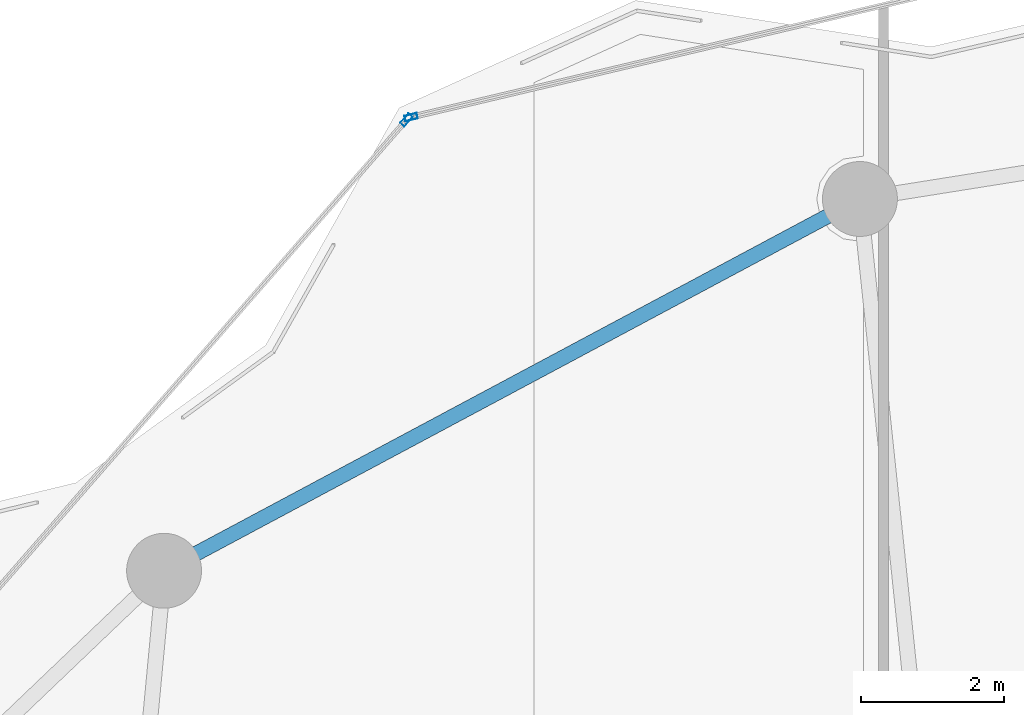
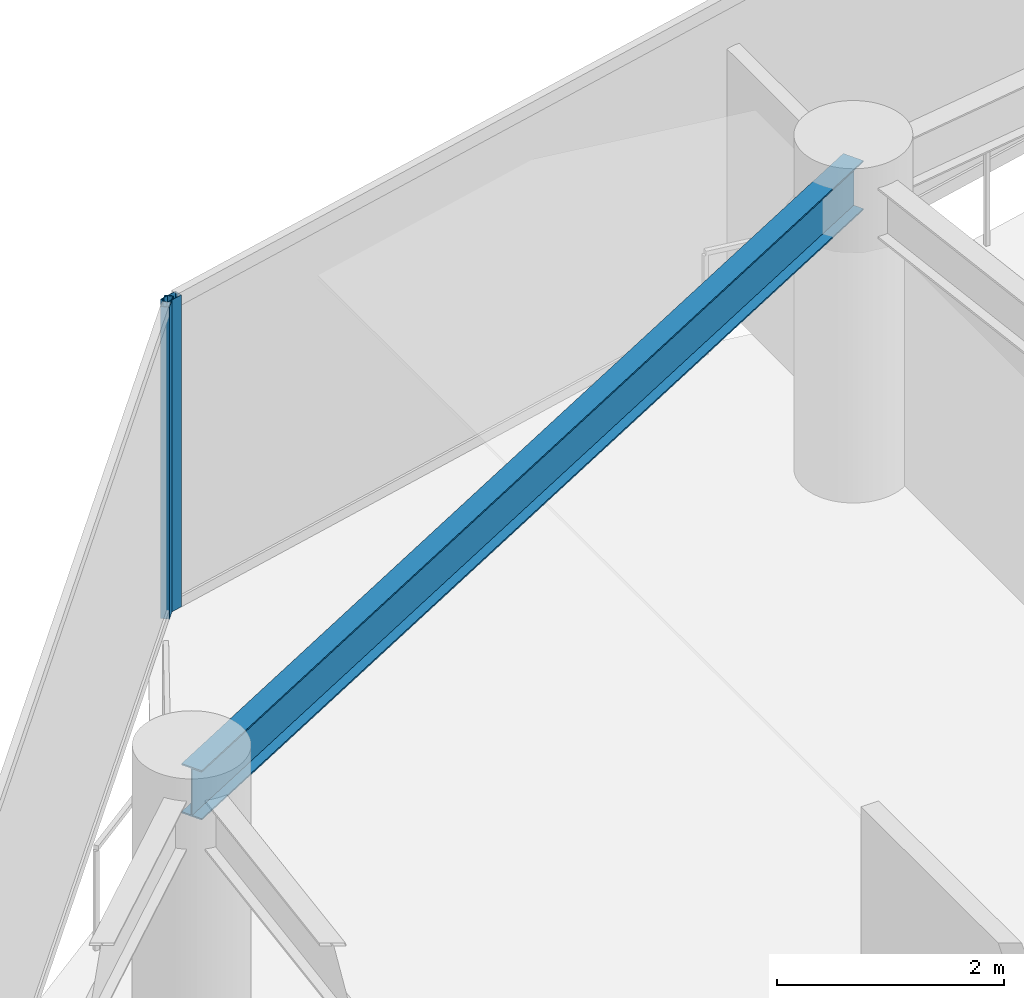
# One storey, part 17 of 28: 2 members, 1 beam, 2 elements without a shape of their own.
"""IFC4 building model written with IfcOpenShell, lengths in metres."""

import ifcopenshell
import ifcopenshell.guid

model = None  # the IFC model being written
_history = None  # IfcOwnerHistory: only IFC2X3 demands one
_inside = {}  # id of a spatial element -> (the spatial element, [elements in it])
_under = {}  # id of a project, library or spatial element -> (it, [spatial elements below it])
_declared = {}  # id of a project -> (the project, [libraries it declares])
_typed = {}  # id of a type object -> (the type object, [elements of that type])
_made_of = {}  # id of a material, layer set ... -> (it, [elements and type objects made of it])


def new_model(schema):
    """Start an empty IFC model of exactly this schema.

    Asked for "IFC4X3", IfcOpenShell would pick the latest addendum, in which some entities
    have other attributes; the version numbers below select the first issue.
    IFC2X3 requires an IfcOwnerHistory on every rooted entity: one is made here for all.
    """
    global model, _history
    if schema == "IFC4X3":
        model = ifcopenshell.file(schema_version=(4, 3, 0, 0))
    else:
        model = ifcopenshell.file(schema=schema)
    _inside.clear()
    _under.clear()
    _declared.clear()
    _typed.clear()
    _made_of.clear()
    _history = None
    if model.schema == "IFC2X3":
        org = make("IfcOrganization", Name="unknown")
        user = make(
            "IfcPersonAndOrganization",
            ThePerson=make("IfcPerson", FamilyName="unknown"),
            TheOrganization=org,
        )
        app = make(
            "IfcApplication",
            ApplicationDeveloper=org,
            Version="unknown",
            ApplicationFullName="unknown",
            ApplicationIdentifier="unknown",
        )
        _history = make(
            "IfcOwnerHistory",
            OwningUser=user,
            OwningApplication=app,
            ChangeAction="ADDED",
            CreationDate=0,
        )
    return model


def make(cls, **values):
    """One entity of the class cls with the attributes given. An attribute that is None is left unset."""
    return model.create_entity(
        cls, **{name: value for name, value in values.items() if value is not None}
    )


def rooted(cls, **values):
    """An entity with a GlobalId (a new one), such as an element, a storey or a relation."""
    return make(cls, GlobalId=ifcopenshell.guid.new(), OwnerHistory=_history, **values)


def si_unit(unit_type, name, prefix=None):
    """IfcSIUnit, for example si_unit("LENGTHUNIT", "METRE", prefix="MILLI")."""
    return make("IfcSIUnit", UnitType=unit_type, Prefix=prefix, Name=name)


def assignment(units):
    """IfcUnitAssignment: the units of a project."""
    return None if units is None else make("IfcUnitAssignment", Units=units)


def point(xyz):
    """IfcCartesianPoint."""
    return None if xyz is None else make("IfcCartesianPoint", Coordinates=xyz)


def direction(xyz):
    """IfcDirection."""
    return None if xyz is None else make("IfcDirection", DirectionRatios=xyz)


def frame(location, z_axis=None, x_axis=None):
    """IfcAxis2Placement3D, a coordinate frame: its origin and axes. An axis left out is left unset."""
    return make(
        "IfcAxis2Placement3D",
        Location=point(location),
        Axis=direction(z_axis),
        RefDirection=direction(x_axis),
    )


def frame_2d(location, x_axis=None):
    """IfcAxis2Placement2D, a coordinate frame in the plane: its origin and x axis."""
    return make(
        "IfcAxis2Placement2D", Location=point(location), RefDirection=direction(x_axis)
    )


def origin():
    """The frame at (0, 0, 0) with its axes left unset."""
    return frame((0.0, 0.0, 0.0))


def origin_2d():
    """The frame at (0, 0) in the plane with its x axis left unset."""
    return frame_2d((0.0, 0.0))


def place(relative_to, where):
    """IfcLocalPlacement: puts the frame where relative to a parent placement (None: the world)."""
    return make(
        "IfcLocalPlacement", PlacementRelTo=relative_to, RelativePlacement=where
    )


def context(
    kind, dimensions, precision=None, world=None, true_north=None, identifier=None
):
    """IfcGeometricRepresentationContext, for example the 3D "Model" context."""
    return make(
        "IfcGeometricRepresentationContext",
        ContextIdentifier=identifier,
        ContextType=kind,
        CoordinateSpaceDimension=dimensions,
        Precision=precision,
        WorldCoordinateSystem=world,
        TrueNorth=true_north,
    )


def subcontext(parent, identifier, kind, view, scale=None):
    """IfcGeometricRepresentationSubContext, for example "Body" below "Model"."""
    return make(
        "IfcGeometricRepresentationSubContext",
        ContextIdentifier=identifier,
        ContextType=kind,
        ParentContext=parent,
        TargetScale=scale,
        TargetView=view,
    )


def project(units=None, contexts=None):
    """IfcProject with its units and contexts."""
    return rooted(
        "IfcProject",
        Name="project",
        RepresentationContexts=contexts,
        UnitsInContext=assignment(units),
    )


def spatial(cls, under=None, at=None, **own):
    """A site, building, storey or space (cls), placed at a placement, below another one or the project."""
    s = rooted(cls, ObjectPlacement=at, **own)
    if under is not None:
        _under.setdefault(under.id(), (under, []))[1].append(s)
    return s


def profile(cls, at=None, kind="AREA", **sizes):
    """A parametric profile (cls). Its sizes go by their IFC names, for example OverallWidth=200.0."""
    return make(cls, ProfileType=kind, Position=at, **sizes)


def hollow_rectangle(**sizes):
    """IfcRectangleHollowProfileDef."""
    return profile("IfcRectangleHollowProfileDef", **sizes)


def i_section(**sizes):
    """IfcIShapeProfileDef."""
    return profile("IfcIShapeProfileDef", **sizes)


def extrude(swept, where, along, depth):
    """IfcExtrudedAreaSolid: the profile swept, set in the frame where, extruded along a direction by depth."""
    return make(
        "IfcExtrudedAreaSolid",
        SweptArea=swept,
        Position=where,
        ExtrudedDirection=direction(along),
        Depth=depth,
    )


def shape(context_of_items, identifier, shape_type, items):
    """IfcShapeRepresentation: the items that make up one representation, for example the "Body"."""
    return make(
        "IfcShapeRepresentation",
        ContextOfItems=context_of_items,
        RepresentationIdentifier=identifier,
        RepresentationType=shape_type,
        Items=items,
    )


def material(Name=None, Category=None):
    """IfcMaterial."""
    return make("IfcMaterial", Name=Name, Category=Category)


def layer(
    of_material, thickness, ventilated=None, Name=None, Category=None, Priority=None
):
    """IfcMaterialLayer: one layer of a wall or slab, of a material (None: an air gap)."""
    return make(
        "IfcMaterialLayer",
        Material=of_material,
        LayerThickness=thickness,
        IsVentilated=ventilated,
        Name=Name,
        Category=Category,
        Priority=Priority,
    )


def layer_set(layers, Name=None):
    """IfcMaterialLayerSet."""
    return make("IfcMaterialLayerSet", MaterialLayers=layers, LayerSetName=Name)


def material_profile(
    of_material, cross_section, Name=None, Category=None, Priority=None
):
    """IfcMaterialProfile: a cross section and its material."""
    return make(
        "IfcMaterialProfile",
        Name=Name,
        Material=of_material,
        Profile=cross_section,
        Priority=Priority,
        Category=Category,
    )


def profile_set(profiles, Name=None, composite=None):
    """IfcMaterialProfileSet."""
    return make(
        "IfcMaterialProfileSet",
        Name=Name,
        MaterialProfiles=profiles,
        CompositeProfile=composite,
    )


def made_of(thing, what):
    """Note that an element or type object is made of a material, layer set ...; save() writes the relation."""
    if what is not None:
        _made_of.setdefault(what.id(), (what, []))[1].append(thing)
    return thing


def type_object(cls, material=None, **own):
    """A type object (cls), such as IfcWallType, which elements share."""
    return made_of(rooted(cls, **own), material)


def element(
    cls,
    number,
    at=None,
    inside=None,
    cuts=None,
    type_object=None,
    material=None,
    context=None,
    identifier="Body",
    shape_type=None,
    held_by="IfcProductDefinitionShape",
    body=None,
    shapes=None,
    **own,
):
    """One element of the class cls, such as IfcWall. Its Tag is "e" and its number.

    at: its placement. inside: the storey or other place that contains it. cuts: it is an
    opening in that element (IfcRelVoidsElement). A single representation is given by context,
    identifier, shape_type and body (its items); several are given by shapes. held_by: the class
    of the entity that holds the representations. save() writes the other relations.
    """
    e = rooted(cls, Tag="e%d" % number, ObjectPlacement=at, **own)
    if body is not None:
        shapes = [shape(context, identifier, shape_type, body)]
    if shapes is not None:
        e.Representation = make(held_by, Representations=shapes)
    if inside is not None:
        _inside.setdefault(inside.id(), (inside, []))[1].append(e)
    if cuts is not None:
        rooted(
            "IfcRelVoidsElement", RelatingBuildingElement=cuts, RelatedOpeningElement=e
        )
    if type_object is not None:
        _typed.setdefault(type_object.id(), (type_object, []))[1].append(e)
    return made_of(e, material)


def aggregate(whole, parts):
    """IfcRelAggregates: a whole, such as a stair, and the parts it consists of."""
    return rooted("IfcRelAggregates", RelatingObject=whole, RelatedObjects=parts)


def save(model, path):
    """Write the relations noted so far, then the file.

    IfcRelAggregates (storeys below a building ...), IfcRelContainedInSpatialStructure (elements
    in a storey), IfcRelDefinesByType, IfcRelAssociatesMaterial and IfcRelDeclares: one each for
    every whole, place, type object, material and project.
    """
    for whole, parts in _under.values():
        aggregate(whole, parts)
    for where, things in _inside.values():
        rooted(
            "IfcRelContainedInSpatialStructure",
            RelatedElements=things,
            RelatingStructure=where,
        )
    for kind, things in _typed.values():
        rooted("IfcRelDefinesByType", RelatedObjects=things, RelatingType=kind)
    for what, things in _made_of.values():
        rooted("IfcRelAssociatesMaterial", RelatedObjects=things, RelatingMaterial=what)
    for by, libraries in _declared.values():
        rooted("IfcRelDeclares", RelatingContext=by, RelatedDefinitions=libraries)
    model.write(path)


model = new_model("IFC4")

# Units and contexts
model_context = context("Model", 3, precision=1e-05, world=origin(), true_north=direction((0.0, 1.0)))
body_context = subcontext(model_context, "Body", "Model", "MODEL_VIEW")
ifc_project = project(units=[si_unit("LENGTHUNIT", "METRE"), si_unit("AREAUNIT", "SQUARE_METRE"), si_unit("VOLUMEUNIT", "CUBIC_METRE"), si_unit("PLANEANGLEUNIT", "RADIAN"), si_unit("MASSUNIT", "GRAM", prefix="KILO")], contexts=[model_context])

# Site, building, storey
site_placement = place(None, origin())
site = spatial("IfcSite", under=ifc_project, at=site_placement, CompositionType="ELEMENT")
building_placement = place(site_placement, origin())
building = spatial("IfcBuilding", under=site, at=building_placement, Name="Kazevale Care Tower and Concert Hall", CompositionType="ELEMENT")
storey_placement = place(building_placement, frame((0.0, 0.0, 228.0)))
storey = spatial("IfcBuildingStorey", under=building, at=storey_placement, Name="L60", CompositionType="ELEMENT", Elevation=228.0)

# Curtain wall, member
ifc_material_1 = material(Name="Aluminium 6063-T6 and Low-E Glass", Category="aluminium")
ifc_layer_1 = layer(ifc_material_1, 0.179931640625)
ifc_layer_set_1 = layer_set([ifc_layer_1], Name="Aluminium 6063-T6 and Low-E Glass")
curtain_wall_type_1 = type_object("IfcCurtainWallType", Name="Convex Checkerboard Finned Curtain Wall CW-2", PredefinedType="NOTDEFINED", material=ifc_layer_set_1)
curtain_wall_1_placement = place(storey_placement, origin())
curtain_wall_1 = element("IfcCurtainWall", 1, at=curtain_wall_1_placement, inside=storey, type_object=curtain_wall_type_1, Name="cw:L60:f14", PredefinedType="NOTDEFINED")
ifc_material_2 = material(Name="Aluminium 6063-T6", Category="aluminium")
ifc_material_profile_1 = material_profile(ifc_material_2, hollow_rectangle(XDim=0.080078125, YDim=0.179931640625, WallThickness=0.0048828125, at=origin_2d()), Name="ALU80x180x5")
ifc_profile_set_1 = profile_set([ifc_material_profile_1], Name="Aluminium 6063-T6")
member_type_1 = type_object("IfcMemberType", Name="CW-2 Mullion ALU80x180x5", PredefinedType="MULLION", material=ifc_profile_set_1)
member_1_placement = place(storey_placement, frame((27.145751953125, 61.326904296875, 0.0), z_axis=(0.0, 0.0, 1.0), x_axis=(-0.753738225685, 0.657174776708, 0.0)))
member_1 = element("IfcMember", 2, at=member_1_placement, type_object=member_type_1, Name="CW-2 mullion 2", PredefinedType="MULLION", context=body_context, shape_type="SweptSolid", body=[
    extrude(hollow_rectangle(XDim=0.080078125, YDim=0.179931640625, WallThickness=0.0048828125, at=origin_2d()), origin(), (0.0, 0.0, 1.0), 3.360107421875),
])
aggregate(curtain_wall_1, [member_1])

ifc_layer_2 = layer(ifc_material_1, 0.179931640625)
ifc_layer_set_2 = layer_set([ifc_layer_2], Name="Aluminium 6063-T6 and Low-E Glass")
curtain_wall_type_2 = type_object("IfcCurtainWallType", Name="Waist & Upper Residential Curtain Wall CW-4", PredefinedType="NOTDEFINED", material=ifc_layer_set_2)
curtain_wall_2_placement = place(storey_placement, origin())
curtain_wall_2 = element("IfcCurtainWall", 3, at=curtain_wall_2_placement, inside=storey, type_object=curtain_wall_type_2, Name="cw:L60:f15", PredefinedType="NOTDEFINED")
ifc_material_profile_2 = material_profile(ifc_material_2, hollow_rectangle(XDim=0.080078125, YDim=0.179931640625, WallThickness=0.0048828125, at=origin_2d()), Name="ALU80x180x5")
ifc_profile_set_2 = profile_set([ifc_material_profile_2], Name="Aluminium 6063-T6")
member_type_2 = type_object("IfcMemberType", Name="CW-4 Mullion ALU80x180x5", PredefinedType="MULLION", material=ifc_profile_set_2)
member_2_placement = place(storey_placement, frame((27.2109375, 61.3662109375, 0.0), z_axis=(0.0, 0.0, 1.0), x_axis=(-0.230439111929, 0.973086746233, 0.0)))
member_2 = element("IfcMember", 4, at=member_2_placement, type_object=member_type_2, Name="CW-4 mullion 1", PredefinedType="MULLION", context=body_context, shape_type="SweptSolid", body=[
    extrude(hollow_rectangle(XDim=0.080078125, YDim=0.179931640625, WallThickness=0.0048828125, at=origin_2d()), origin(), (0.0, 0.0, 1.0), 3.360107421875),
])
aggregate(curtain_wall_2, [member_2])

# Beam
ifc_material_3 = material(Name="Steel ASTM A572 Gr 50", Category="steel")
ifc_material_profile_3 = material_profile(ifc_material_3, i_section(OverallWidth=0.208984375, OverallDepth=0.532958984375, WebThickness=0.01025390625, FlangeThickness=0.015625, at=origin_2d()), Name="W530x92")
ifc_profile_set_3 = profile_set([ifc_material_profile_3], Name="Steel ASTM A572 Gr 50")
beam_type = type_object("IfcBeamType", Name="Upper Ring Beam W530x92", PredefinedType="BEAM", material=ifc_profile_set_3)
beam_placement = place(storey_placement, frame((33.5, 60.219970703125, 3.093505859375), z_axis=(-0.881978519833, -0.471289603697, 0.0), x_axis=(0.471289603697, -0.881978519833, 0.0)))
element("IfcBeam", 5, at=beam_placement, inside=storey, type_object=beam_type, Name="beam:L60:ring:06", PredefinedType="BEAM", context=body_context, shape_type="SweptSolid", body=[
    extrude(i_section(OverallWidth=0.208984375, OverallDepth=0.532958984375, WebThickness=0.01025390625, FlangeThickness=0.015625, at=origin_2d()), origin(), (0.0, 0.0, 1.0), 11.0546875),
])

save(model, "model.ifc")
